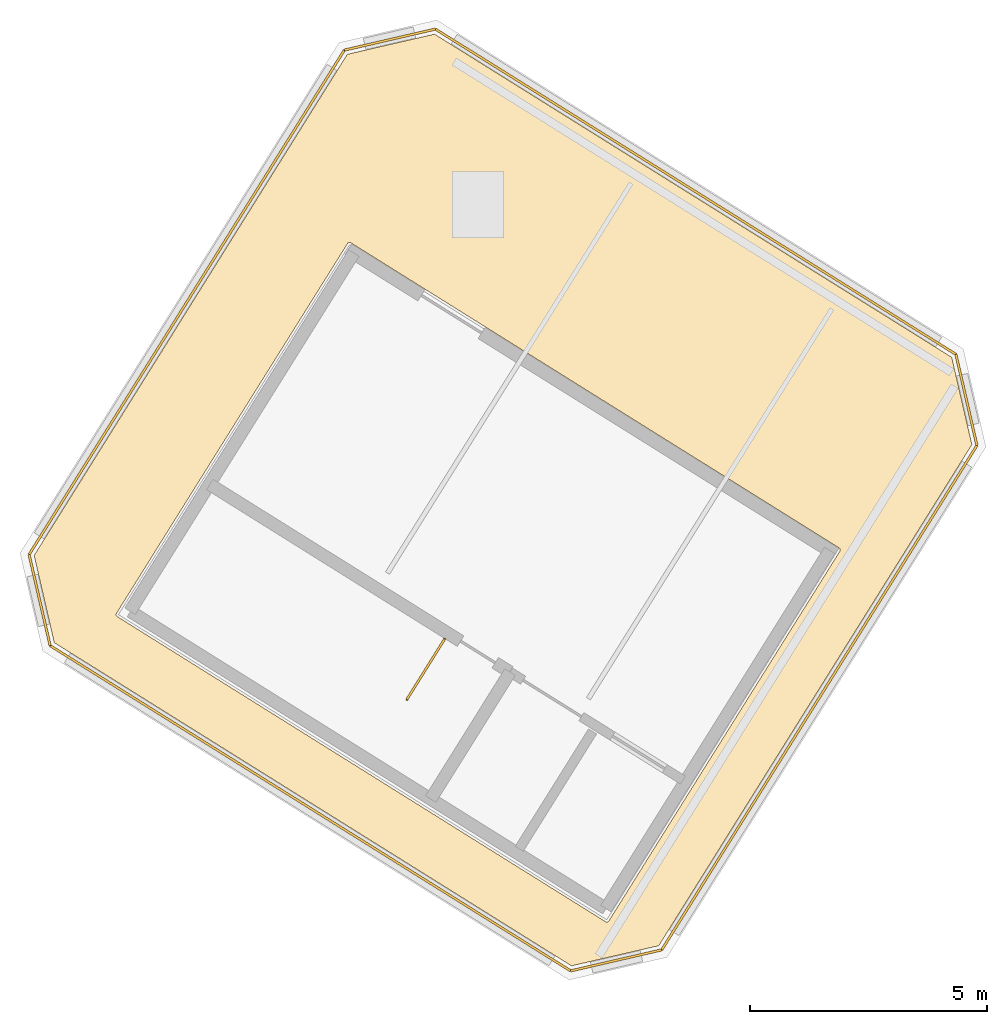
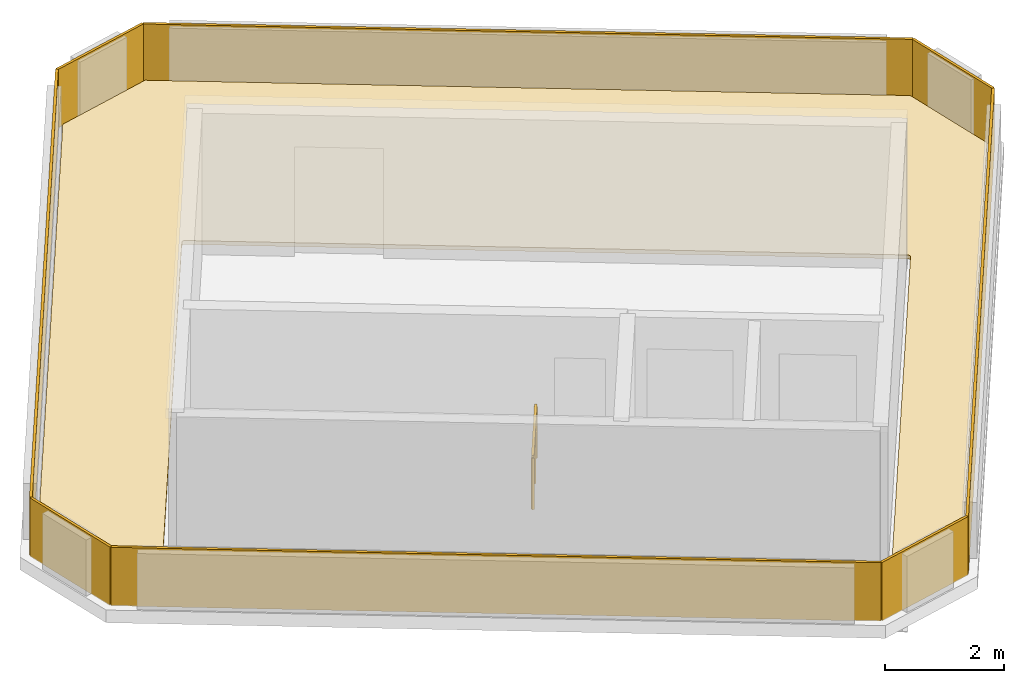
# One storey, part 2 of 2: 9 coverings, 1 railing.
"""IFC4 building model written with IfcOpenShell, lengths in metres."""

from ifc_helpers import new_model, si_unit, direction, frame, origin, origin_2d, place, context, subcontext, project, spatial, polyline, rectangle, outline, extrude, source, transform, mapped, material, layer, layer_set, type_object, element, save


model = new_model("IFC4")

# Units and contexts
model_context = context("Model", 3, precision=1e-05, world=origin(), true_north=direction((0.0, 1.0)))
body_context = subcontext(model_context, "Body", "Model", "MODEL_VIEW")
ifc_project = project(units=[si_unit("LENGTHUNIT", "METRE"), si_unit("AREAUNIT", "SQUARE_METRE"), si_unit("VOLUMEUNIT", "CUBIC_METRE"), si_unit("PLANEANGLEUNIT", "RADIAN"), si_unit("MASSUNIT", "GRAM", prefix="KILO")], contexts=[model_context])

# Site, building, storey
site_placement = place(None, origin())
site = spatial("IfcSite", under=ifc_project, at=site_placement, CompositionType="ELEMENT")
building_placement = place(site_placement, origin())
building = spatial("IfcBuilding", under=site, at=building_placement, Name="Tlacorven Tower", CompositionType="ELEMENT")
storey_placement = place(building_placement, frame((0.0, 0.0, 320.39990234375)))
storey = spatial("IfcBuildingStorey", under=building, at=storey_placement, Name="RF", CompositionType="ELEMENT", Elevation=320.39990234375)

# Coverings
ifc_material_1 = material(Name="EPDM waterproofing membrane and rigid insulation")
ifc_layer_1 = layer(ifc_material_1, 0.080078125)
ifc_layer_set_1 = layer_set([ifc_layer_1], Name="EPDM waterproofing membrane and rigid insulation")
covering_type_1 = type_object("IfcCoveringType", Name="CV-ROF-MEMB", PredefinedType="ROOFING", material=ifc_layer_set_1)
covering_placement = place(storey_placement, origin())
element("IfcCovering", 1, at=covering_placement, inside=storey, type_object=covering_type_1, Name="RF Crown Roof Waterproofing Membrane 1", PredefinedType="ROOFING", context=body_context, shape_type="SweptSolid", body=[
    extrude(outline(polyline([(41.0322265625, 23.0556640625), (34.425048828125, 12.482177734375), (32.584228515625, 12.05712890625), (21.67138671875, 18.876220703125), (21.24658203125, 20.717041015625), (27.853515625, 31.29052734375), (29.694580078125, 31.715576171875), (40.607177734375, 24.896484375), (41.0322265625, 23.0556640625)]), holes=[polyline([(38.2490234375, 20.81005859375), (38.2509765625, 20.814697265625), (38.252685546875, 20.8193359375), (38.253662109375, 20.82421875), (38.254150390625, 20.8291015625), (38.25439453125, 20.833984375), (38.25390625, 20.8388671875), (38.2529296875, 20.843505859375), (38.251708984375, 20.848388671875), (38.25, 20.852783203125), (38.24755859375, 20.857177734375), (38.2451171875, 20.861328125), (38.241943359375, 20.865234375), (38.238525390625, 20.86865234375), (38.23486328125, 20.8720703125), (38.230712890625, 20.874755859375), (27.927001953125, 27.313232421875), (27.9228515625, 27.315673828125), (27.918212890625, 27.317626953125), (27.91357421875, 27.319091796875), (27.90869140625, 27.320068359375), (27.90380859375, 27.32080078125), (27.89892578125, 27.32080078125), (27.89404296875, 27.320556640625), (27.889404296875, 27.319580078125), (27.884521484375, 27.318359375), (27.8798828125, 27.31640625), (27.875732421875, 27.314208984375), (27.87158203125, 27.3115234375), (27.86767578125, 27.30859375), (27.864013671875, 27.30517578125), (27.86083984375, 27.301513671875), (27.858154296875, 27.29736328125), (22.98291015625, 19.495361328125), (22.98046875, 19.490966796875), (22.978515625, 19.486572265625), (22.97705078125, 19.48193359375), (22.97607421875, 19.47705078125), (22.975341796875, 19.47216796875), (22.975341796875, 19.46728515625), (22.9755859375, 19.46240234375), (22.9765625, 19.45751953125), (22.977783203125, 19.452880859375), (22.979736328125, 19.4482421875), (22.98193359375, 19.44384765625), (22.984619140625, 19.439697265625), (22.987548828125, 19.43603515625), (22.990966796875, 19.432373046875), (22.994873046875, 19.42919921875), (22.998779296875, 19.426513671875), (33.302490234375, 12.98779296875), (33.306884765625, 12.985595703125), (33.311279296875, 12.983642578125), (33.31591796875, 12.98193359375), (33.32080078125, 12.98095703125), (33.32568359375, 12.98046875), (33.33056640625, 12.980224609375), (33.33544921875, 12.980712890625), (33.34033203125, 12.981689453125), (33.344970703125, 12.98291015625), (33.349609375, 12.984619140625), (33.35400390625, 12.987060546875), (33.358154296875, 12.989501953125), (33.362060546875, 12.99267578125), (33.365478515625, 12.99609375), (33.36865234375, 12.999755859375), (33.37158203125, 13.00390625), (38.246826171875, 20.805908203125), (38.2490234375, 20.81005859375)])]), origin(), (0.0, 0.0, 1.0), 0.080078125),
])
ifc_material_2 = material(Name="Precast concrete C45/55", Category="concrete")
ifc_layer_2 = layer(ifc_material_2, 0.06005859375)
ifc_layer_set_2 = layer_set([ifc_layer_2], Name="Precast concrete C45/55")
covering_type_2 = type_object("IfcCoveringType", Name="CV-CLD-TERC", PredefinedType="CLADDING", material=ifc_layer_set_2)
shared_shape_1 = source(origin(), body_context, "Body", "SweptSolid", [
    extrude(rectangle(XDim=1.97216796875, YDim=0.050048828125, at=origin_2d()), origin(), (0.0, 0.0, 1.0), 1.199951171875),
])
for number, where, z_axis, x_axis, name in (
    (2, (40.917236328125, 23.99853515625, -0.02001953125), (0.0, 0.0, 1.0), (0.224950947597, -0.97437008943, 0.0), "RF Crown Roof Perimeter Coping Spandrel 1"),
    (3, (33.527099609375, 12.172119140625, -0.02001953125), (0.0, 0.0, 1.0), (-0.974370113285, -0.224950844269, 0.0), "RF Crown Roof Perimeter Coping Spandrel 3"),
    (4, (21.361572265625, 19.774169921875, -0.02001953125), (0.0, 0.0, 1.0), (-0.224950947597, 0.97437008943, 0.0), "RF Crown Roof Perimeter Coping Spandrel 5"),
    (5, (28.75146484375, 31.6005859375, -0.02001953125), (0.0, 0.0, 1.0), (0.974369986105, 0.224951395143, 0.0), "RF Crown Roof Perimeter Coping Spandrel 7"),
):
    element("IfcCovering", number, at=place(storey_placement, frame(where, z_axis=z_axis, x_axis=x_axis)), inside=storey, type_object=covering_type_2, Name=name, PredefinedType="CLADDING", context=body_context, shape_type="MappedRepresentation", body=[
        mapped(shared_shape_1, transform((0.0, 0.0, 0.0), scale=1.0)),
    ])
shared_shape_2 = source(origin(), body_context, "Body", "SweptSolid", [
    extrude(rectangle(XDim=12.55078125, YDim=0.050048828125, at=origin_2d()), origin(), (0.0, 0.0, 1.0), 1.199951171875),
])
for number, where, z_axis, x_axis, name in (
    (6, (37.8134765625, 17.7158203125, -0.02001953125), (0.0, 0.0, 1.0), (-0.529919220777, -0.848048123311, 0.0), "RF Crown Roof Perimeter Coping Spandrel 2"),
    (7, (24.465087890625, 26.056884765625, -0.02001953125), (0.0, 0.0, 1.0), (0.529919312781, 0.84804806582, 0.0), "RF Crown Roof Perimeter Coping Spandrel 6"),
):
    element("IfcCovering", number, at=place(storey_placement, frame(where, z_axis=z_axis, x_axis=x_axis)), inside=storey, type_object=covering_type_2, Name=name, PredefinedType="CLADDING", context=body_context, shape_type="MappedRepresentation", body=[
        mapped(shared_shape_2, transform((0.0, 0.0, 0.0), scale=1.0)),
    ])
shared_shape_3 = source(origin(), body_context, "Body", "SweptSolid", [
    extrude(rectangle(XDim=12.950927734375, YDim=0.050048828125, at=origin_2d()), origin(), (0.0, 0.0, 1.0), 1.199951171875),
])
for number, where, z_axis, x_axis, name in (
    (8, (27.074951171875, 15.3818359375, -0.02001953125), (0.0, 0.0, 1.0), (-0.84804807297, 0.52991930134, 0.0), "RF Crown Roof Perimeter Coping Spandrel 4"),
    (9, (35.203857421875, 28.390869140625, -0.02001953125), (0.0, 0.0, 1.0), (0.84804807297, -0.52991930134, 0.0), "RF Crown Roof Perimeter Coping Spandrel 8"),
):
    element("IfcCovering", number, at=place(storey_placement, frame(where, z_axis=z_axis, x_axis=x_axis)), inside=storey, type_object=covering_type_2, Name=name, PredefinedType="CLADDING", context=body_context, shape_type="MappedRepresentation", body=[
        mapped(shared_shape_3, transform((0.0, 0.0, 0.0), scale=1.0)),
    ])

# Railing
ifc_material_3 = material(Name="Aluminium and painted steel balustrade", Category="steel")
railing_type = type_object("IfcRailingType", Name="RL-GRD-1100", PredefinedType="GUARDRAIL", material=ifc_material_3)
shared_shape_4 = source(origin(), body_context, "Body", "SweptSolid", [
    extrude(rectangle(XDim=0.048095703125, YDim=0.048095703125, at=origin_2d()), frame((0.0, 0.0, 1.076171875), z_axis=(-0.52989653502, -0.848062298522, 0.0), x_axis=(0.848062298522, -0.52989653502, 0.0)), (0.0, 0.0, 1.0), 1.500244140625),
    extrude(rectangle(XDim=0.0419921875, YDim=0.0419921875, at=origin_2d()), origin(), (0.0, 0.0, 1.0), 1.052001953125),
    extrude(rectangle(XDim=0.0419921875, YDim=0.0419921875, at=origin_2d()), frame((-0.3974609375, -0.63623046875, 0.0)), (0.0, 0.0, 1.0), 1.052001953125),
    extrude(rectangle(XDim=0.0419921875, YDim=0.0419921875, at=origin_2d()), frame((-0.794921875, -1.272216796875, 0.0)), (0.0, 0.0, 1.0), 1.052001953125),
])
railing_placement = place(storey_placement, frame((29.907958984375, 18.953369140625, 0.0)))
element("IfcRailing", 10, at=railing_placement, inside=storey, type_object=railing_type, Name="RF ST-W1 top well guard 1", PredefinedType="GUARDRAIL", context=body_context, shape_type="MappedRepresentation", body=[
    mapped(shared_shape_4, transform((0.0, 0.0, 0.0), scale=1.0)),
])

save(model, "model.ifc")
